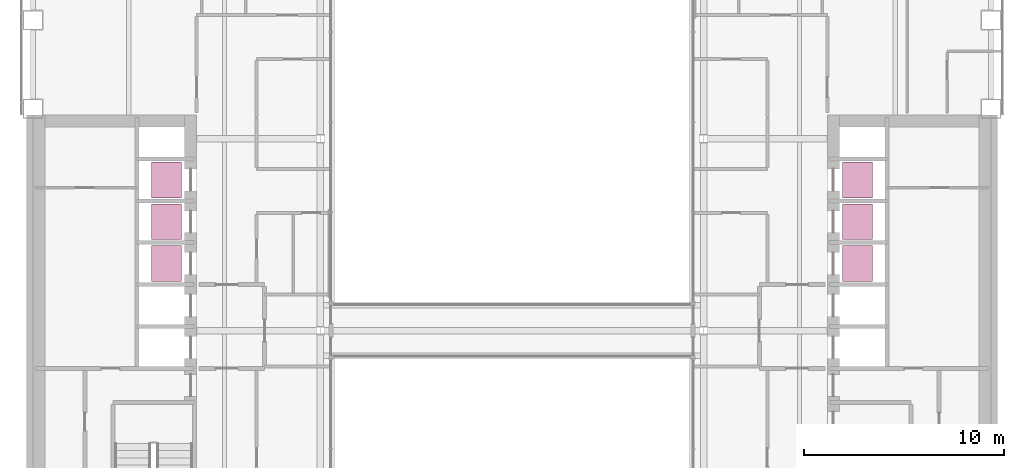
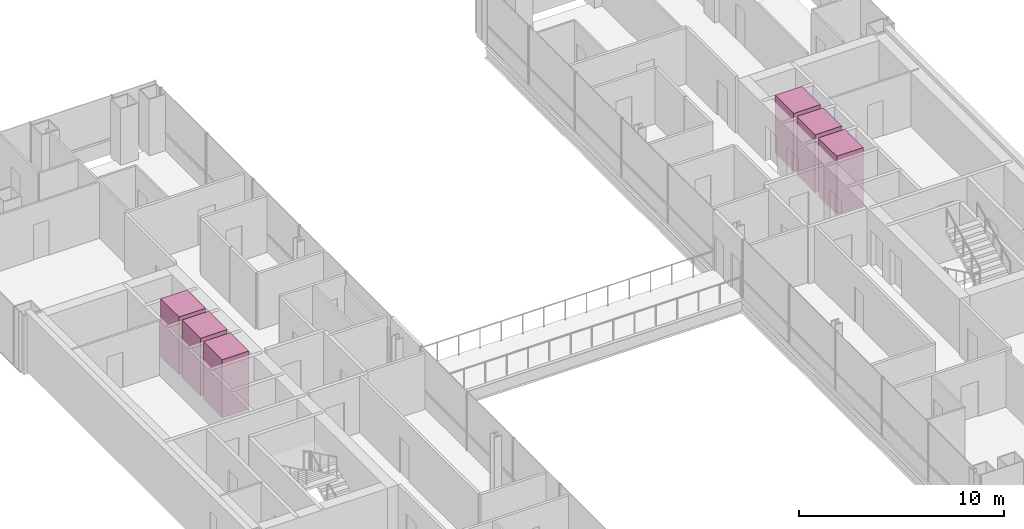
# One storey, part 18 of 18: 6 transport elements.
"""IFC4 building model written with IfcOpenShell, lengths in metres."""

from ifc_helpers import new_model, si_unit, direction, frame, origin, origin_2d, place, context, subcontext, project, spatial, rectangle, extrude, material, type_object, element, save


model = new_model("IFC4")

# Units and contexts
model_context = context("Model", 3, precision=1e-05, world=origin(), true_north=direction((0.0, 1.0)))
body_context = subcontext(model_context, "Body", "Model", "MODEL_VIEW")
ifc_project = project(units=[si_unit("LENGTHUNIT", "METRE"), si_unit("AREAUNIT", "SQUARE_METRE"), si_unit("VOLUMEUNIT", "CUBIC_METRE"), si_unit("PLANEANGLEUNIT", "RADIAN"), si_unit("MASSUNIT", "GRAM", prefix="KILO")], contexts=[model_context])

# Site, building, storey
site_placement = place(None, origin())
site = spatial("IfcSite", under=ifc_project, at=site_placement, CompositionType="ELEMENT")
building_placement = place(site_placement, origin())
building = spatial("IfcBuilding", under=site, at=building_placement, Name="Cobrizo Arcos Hotel Tower", CompositionType="ELEMENT")
storey_placement = place(building_placement, frame((0.0, 0.0, 77.5)))
storey = spatial("IfcBuildingStorey", under=building, at=storey_placement, Name="L18", CompositionType="ELEMENT", Elevation=77.5)

# Transport elements
ifc_material = material(Name="Stainless steel car", Category="steel")
transport_element_type = type_object("IfcTransportElementType", Name="Lift car Low 1.8x1.5", PredefinedType="ELEVATOR", material=ifc_material)
for number, where, z_axis, x_axis, name in (
    (1, (-17.300048828125, 3.35009765625, 0.0), (0.0, 0.0, 1.0), (1.0, 0.0, 0.0), "Low-rise passenger lift W1"),
    (2, (-17.300048828125, 5.449951171875, 0.0), (0.0, 0.0, 1.0), (1.0, 0.0, 0.0), "Low-rise passenger lift W2"),
    (3, (-17.300048828125, 7.550048828125, 0.0), (0.0, 0.0, 1.0), (1.0, 0.0, 0.0), "Low-rise passenger lift W3"),
    (4, (17.300048828125, 3.35009765625, 0.0), (0.0, 0.0, 1.0), (1.0, 0.0, 0.0), "Low-rise passenger lift E1"),
    (5, (17.300048828125, 5.449951171875, 0.0), (0.0, 0.0, 1.0), (1.0, 0.0, 0.0), "Low-rise passenger lift E2"),
    (6, (17.300048828125, 7.550048828125, 0.0), (0.0, 0.0, 1.0), (1.0, 0.0, 0.0), "Low-rise passenger lift E3"),
):
    element("IfcTransportElement", number, at=place(storey_placement, frame(where, z_axis=z_axis, x_axis=x_axis)), inside=storey, type_object=transport_element_type, Name=name, PredefinedType="ELEVATOR", context=body_context, shape_type="SweptSolid", body=[
        extrude(rectangle(XDim=1.5, YDim=1.800048828125, at=origin_2d()), origin(), (0.0, 0.0, 1.0), 3.449951171875),
    ])

save(model, "model.ifc")
